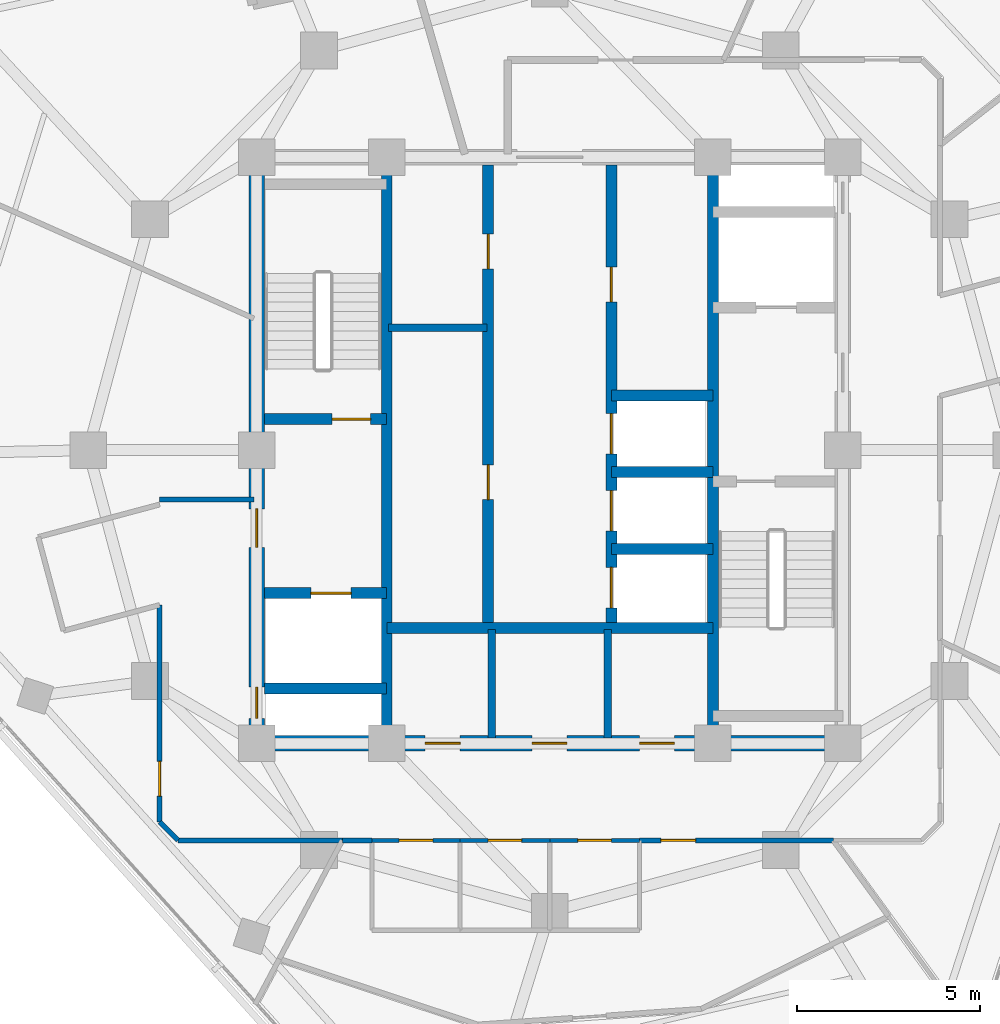
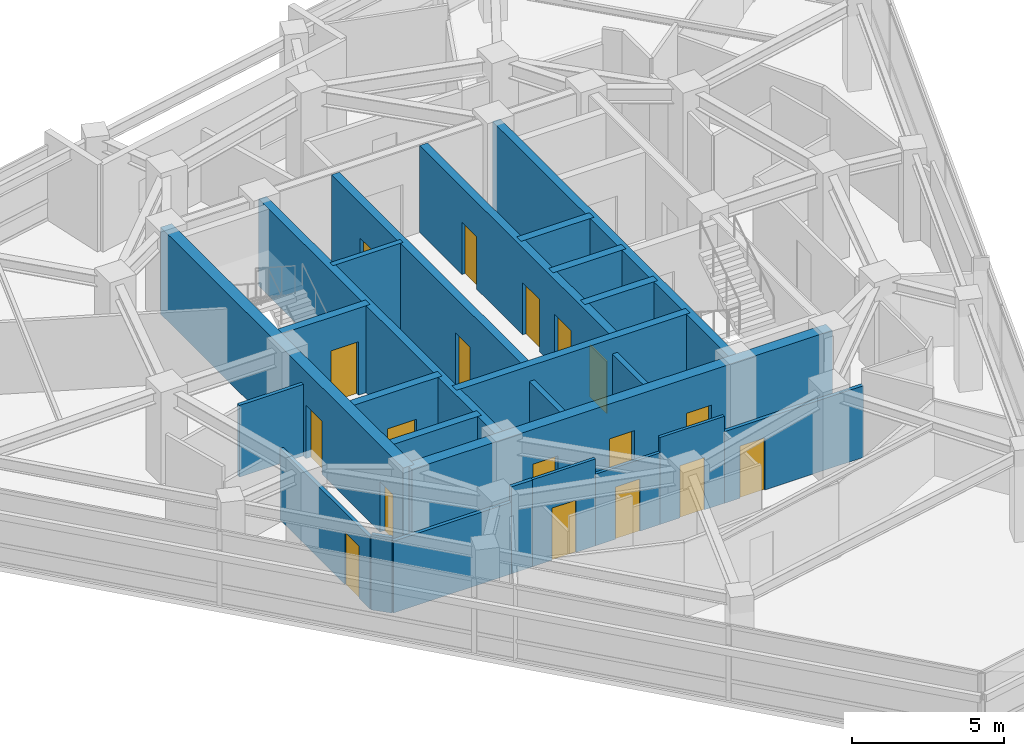
# One storey, part 8 of 15: 25 walls, 18 doors, 18 openings.
"""IFC4 building model written with IfcOpenShell, lengths in metres."""

from ifc_helpers import new_model, si_unit, direction, frame, frame_2d, origin, place, context, subcontext, project, spatial, rectangle, extrude, material, layer, layer_set, type_object, element, fill, save


model = new_model("IFC4")

# Units and contexts
model_context = context("Model", 3, precision=1e-05, world=origin(), true_north=direction((0.0, 1.0)))
body_context = subcontext(model_context, "Body", "Model", "MODEL_VIEW")
ifc_project = project(units=[si_unit("LENGTHUNIT", "METRE"), si_unit("AREAUNIT", "SQUARE_METRE"), si_unit("VOLUMEUNIT", "CUBIC_METRE"), si_unit("PLANEANGLEUNIT", "RADIAN"), si_unit("MASSUNIT", "GRAM", prefix="KILO")], contexts=[model_context])

# Site, building, storey
site_placement = place(None, origin())
site = spatial("IfcSite", under=ifc_project, at=site_placement, CompositionType="ELEMENT")
building_placement = place(site_placement, origin())
building = spatial("IfcBuilding", under=site, at=building_placement, Name="Terralouvre Media Tower", CompositionType="ELEMENT")
storey_placement = place(building_placement, frame((0.0, 0.0, 298.0)))
storey = spatial("IfcBuildingStorey", under=building, at=storey_placement, Name="L77", CompositionType="ELEMENT", Elevation=298.0)

# Walls
ifc_material_1 = material(Name="Concrete C50/60", Category="concrete")
ifc_layer_1 = layer(ifc_material_1, 0.300048828125, Name="Core Internal Shaft Wall CW-300")
ifc_layer_set_1 = layer_set([ifc_layer_1], Name="Concrete C50/60")
wall_type_1 = type_object("IfcWallType", Name="Core Internal Shaft Wall CW-300", PredefinedType="SHEAR", material=ifc_layer_set_1)
for number, where, z_axis, x_axis, name in (
    (1, (-4.449951171875, -7.7900390625, 0.0), (0.0, 0.0, 1.0), (0.0, 1.0, 0.0), "L77 Core Shaft Wall SPW"),
    (2, (4.449951171875, -7.7900390625, 0.0), (0.0, 0.0, 1.0), (0.0, 1.0, 0.0), "L77 Core Shaft Wall SPE"),
):
    element("IfcWall", number, at=place(storey_placement, frame(where, z_axis=z_axis, x_axis=x_axis)), inside=storey, type_object=wall_type_1, Name=name, PredefinedType="SHEAR", context=body_context, shape_type="SweptSolid", body=[
        extrude(rectangle(XDim=15.580078125, YDim=0.300048828125, at=frame_2d((7.7900390625, 0.0))), origin(), (0.0, 0.0, 1.0), 3.5),
    ])

# Wall, opening, door
wall_1_placement = place(storey_placement, frame((-7.7900390625, 0.85009765625, 0.0), z_axis=(0.0, 0.0, 1.0), x_axis=(1.0, 0.0, 0.0)))
wall_1 = element("IfcWall", 3, at=wall_1_placement, inside=storey, type_object=wall_type_1, Name="L77 Core Shaft Wall ST1D", PredefinedType="SHEAR", context=body_context, shape_type="SweptSolid", body=[
    extrude(rectangle(XDim=3.340087890625, YDim=0.300048828125, at=frame_2d((1.669921875, 0.0))), origin(), (0.0, 0.0, 1.0), 3.5),
])
opening_1_placement = place(wall_1_placement, frame((1.85009765625, 0.0, 0.0)))
opening_1 = element("IfcOpeningElement", 4, at=opening_1_placement, cuts=wall_1, Name="Opening FD-01-105X215", PredefinedType="OPENING", context=body_context, shape_type="SweptSolid", body=[
    extrude(rectangle(XDim=1.050048828125, YDim=2.14990234375, at=frame_2d((0.52490234375, 1.074951171875))), frame((0.0, 0.159912109375, 0.0), z_axis=(0.0, -1.0, 0.0), x_axis=(1.0, 0.0, 0.0)), (0.0, 0.0, 1.0), 0.320068359375),
])
ifc_material_2 = material(Name="Galvanised steel fire-resisting leaf", Category="steel")
door_type_1 = type_object("IfcDoorType", Name="Stair and Firefighting Lobby Fire Door FD-01 (1050x2150)", OperationType="NOTDEFINED", PredefinedType="DOOR", material=ifc_material_2)
door_1_placement = place(opening_1_placement, origin())
door_1 = element("IfcDoor", 5, at=door_1_placement, inside=storey, type_object=door_type_1, Name="L77 ST-01 Exit Stair Door", OperationType="SINGLE_SWING_LEFT", OverallHeight=2.14990234375, OverallWidth=1.050048828125, PredefinedType="DOOR", context=body_context, shape_type="SweptSolid", body=[
    extrude(rectangle(XDim=1.050048828125, YDim=2.14990234375, at=frame_2d((0.52490234375, 1.074951171875))), frame((0.0, 0.02490234375, 0.0), z_axis=(0.0, -1.0, 0.0), x_axis=(1.0, 0.0, 0.0)), (0.0, 0.0, 1.0), 0.050048828125),
])
fill(opening_1, door_1)

wall_2_placement = place(storey_placement, frame((-7.7900390625, -3.89990234375, 0.0), z_axis=(0.0, 0.0, 1.0), x_axis=(1.0, 0.0, 0.0)))
wall_2 = element("IfcWall", 6, at=wall_2_placement, inside=storey, type_object=wall_type_1, Name="L77 Core Shaft Wall FF1N", PredefinedType="SHEAR", context=body_context, shape_type="SweptSolid", body=[
    extrude(rectangle(XDim=3.340087890625, YDim=0.300048828125, at=frame_2d((1.669921875, 0.0))), origin(), (0.0, 0.0, 1.0), 3.5),
])
opening_2_placement = place(wall_2_placement, frame((1.27001953125, 0.0, 0.0)))
opening_2 = element("IfcOpeningElement", 7, at=opening_2_placement, cuts=wall_2, Name="Opening LD-FF", PredefinedType="OPENING", context=body_context, shape_type="SweptSolid", body=[
    extrude(rectangle(XDim=1.10009765625, YDim=2.10009765625, at=frame_2d((0.550048828125, 1.050048828125))), frame((0.0, 0.159912109375, 0.0), z_axis=(0.0, -1.0, 0.0), x_axis=(1.0, 0.0, 0.0)), (0.0, 0.0, 1.0), 0.320068359375),
])
ifc_material_3 = material(Name="Stainless steel 316 handrail and balustrade", Category="steel")
door_type_2 = type_object("IfcDoorType", Name="Firefighting Lift Sliding Landing Door LD-FF", OperationType="SLIDING_TO_LEFT", PredefinedType="DOOR", material=ifc_material_3)
door_2_placement = place(opening_2_placement, origin())
door_2 = element("IfcDoor", 8, at=door_2_placement, inside=storey, type_object=door_type_2, Name="L77 Firefighting Lift FFL-01 Landing Door", OperationType="SLIDING_TO_LEFT", OverallHeight=2.10009765625, OverallWidth=1.10009765625, PredefinedType="DOOR", context=body_context, shape_type="SweptSolid", body=[
    extrude(rectangle(XDim=1.10009765625, YDim=2.10009765625, at=frame_2d((0.550048828125, 1.050048828125))), frame((0.0, 0.02490234375, 0.0), z_axis=(0.0, -1.0, 0.0), x_axis=(1.0, 0.0, 0.0)), (0.0, 0.0, 1.0), 0.050048828125),
])
fill(opening_2, door_2)

# Walls
wall_3_placement = place(storey_placement, frame((-7.7900390625, -6.5, 0.0), z_axis=(0.0, 0.0, 1.0), x_axis=(1.0, 0.0, 0.0)))
element("IfcWall", 9, at=wall_3_placement, inside=storey, type_object=wall_type_1, Name="L77 Core Shaft Wall FF1S", PredefinedType="SHEAR", context=body_context, shape_type="SweptSolid", body=[
    extrude(rectangle(XDim=3.340087890625, YDim=0.300048828125, at=frame_2d((1.669921875, 0.0))), origin(), (0.0, 0.0, 1.0), 3.5),
])
wall_4_placement = place(storey_placement, frame((-4.449951171875, -4.85009765625, 0.0), z_axis=(0.0, 0.0, 1.0), x_axis=(1.0, 0.0, 0.0)))
element("IfcWall", 10, at=wall_4_placement, inside=storey, type_object=wall_type_1, Name="L77 Core Shaft Wall CSBN", PredefinedType="SHEAR", context=body_context, shape_type="SweptSolid", body=[
    extrude(rectangle(XDim=8.89990234375, YDim=0.300048828125, at=frame_2d((4.449951171875, 0.0))), origin(), (0.0, 0.0, 1.0), 3.5),
])

# Wall, openings, doors
wall_5_placement = place(storey_placement, frame((-1.679931640625, -4.85009765625, 0.0), z_axis=(0.0, 0.0, 1.0), x_axis=(0.0, 1.0, 0.0)))
wall_5 = element("IfcWall", 11, at=wall_5_placement, inside=storey, type_object=wall_type_1, Name="L77 Core Shaft Wall LBW", PredefinedType="SHEAR", context=body_context, shape_type="SweptSolid", body=[
    extrude(rectangle(XDim=12.64013671875, YDim=0.300048828125, at=frame_2d((6.320068359375, 0.0))), origin(), (0.0, 0.0, 1.0), 3.5),
])
opening_3_placement = place(wall_5_placement, frame((3.5, 0.0, 0.0)))
opening_3 = element("IfcOpeningElement", 12, at=opening_3_placement, cuts=wall_5, Name="Opening FD-04-95X210", PredefinedType="OPENING", context=body_context, shape_type="SweptSolid", body=[
    extrude(rectangle(XDim=0.949951171875, YDim=2.10009765625, at=frame_2d((0.47509765625, 1.050048828125))), frame((0.0, 0.159912109375, 0.0), z_axis=(0.0, -1.0, 0.0), x_axis=(1.0, 0.0, 0.0)), (0.0, 0.0, 1.0), 0.320068359375),
])
opening_4_placement = place(wall_5_placement, frame((9.800048828125, 0.0, 0.0)))
opening_4 = element("IfcOpeningElement", 13, at=opening_4_placement, cuts=wall_5, Name="Opening FD-02-95X210", PredefinedType="OPENING", context=body_context, shape_type="SweptSolid", body=[
    extrude(rectangle(XDim=0.949951171875, YDim=2.10009765625, at=frame_2d((0.47509765625, 1.050048828125))), frame((0.0, 0.159912109375, 0.0), z_axis=(0.0, -1.0, 0.0), x_axis=(1.0, 0.0, 0.0)), (0.0, 0.0, 1.0), 0.320068359375),
])
ifc_material_4 = material(Name="Galvanised steel fire-resisting leaf", Category="steel")
door_type_3 = type_object("IfcDoorType", Name="Core Store and Service Fire Door FD-04 (950x2100)", OperationType="NOTDEFINED", PredefinedType="DOOR", material=ifc_material_4)
door_3_placement = place(opening_3_placement, origin())
door_3 = element("IfcDoor", 14, at=door_3_placement, inside=storey, type_object=door_type_3, Name="L77 Core Archive Store Door", OperationType="SINGLE_SWING_LEFT", OverallHeight=2.10009765625, OverallWidth=0.949951171875, PredefinedType="DOOR", context=body_context, shape_type="SweptSolid", body=[
    extrude(rectangle(XDim=0.949951171875, YDim=2.10009765625, at=frame_2d((0.47509765625, 1.050048828125))), frame((0.0, 0.02490234375, 0.0), z_axis=(0.0, -1.0, 0.0), x_axis=(1.0, 0.0, 0.0)), (0.0, 0.0, 1.0), 0.050048828125),
])
fill(opening_3, door_3)
ifc_material_5 = material(Name="Galvanised steel fire-resisting leaf", Category="steel")
door_type_4 = type_object("IfcDoorType", Name="Plant and Riser Fire Door FD-02 (950x2100)", OperationType="NOTDEFINED", PredefinedType="DOOR", material=ifc_material_5)
door_4_placement = place(opening_4_placement, origin())
door_4 = element("IfcDoor", 15, at=door_4_placement, inside=storey, type_object=door_type_4, Name="L77 Core AV Repeater Plant Door", OperationType="SINGLE_SWING_RIGHT", OverallHeight=2.10009765625, OverallWidth=0.949951171875, PredefinedType="DOOR", context=body_context, shape_type="SweptSolid", body=[
    extrude(rectangle(XDim=0.949951171875, YDim=2.10009765625, at=frame_2d((0.47509765625, 1.050048828125))), frame((0.0, 0.02490234375, 0.0), z_axis=(0.0, -1.0, 0.0), x_axis=(1.0, 0.0, 0.0)), (0.0, 0.0, 1.0), 0.050048828125),
])
fill(opening_4, door_4)

wall_6_placement = place(storey_placement, frame((1.679931640625, -4.85009765625, 0.0), z_axis=(0.0, 0.0, 1.0), x_axis=(0.0, 1.0, 0.0)))
wall_6 = element("IfcWall", 16, at=wall_6_placement, inside=storey, type_object=wall_type_1, Name="L77 Core Shaft Wall LBE", PredefinedType="SHEAR", context=body_context, shape_type="SweptSolid", body=[
    extrude(rectangle(XDim=12.64013671875, YDim=0.300048828125, at=frame_2d((6.320068359375, 0.0))), origin(), (0.0, 0.0, 1.0), 3.5),
])
opening_5_placement = place(wall_6_placement, frame((0.550048828125, 0.0, 0.0)))
opening_5 = element("IfcOpeningElement", 17, at=opening_5_placement, cuts=wall_6, Name="Opening LD-PL", PredefinedType="OPENING", context=body_context, shape_type="SweptSolid", body=[
    extrude(rectangle(XDim=1.10009765625, YDim=2.10009765625, at=frame_2d((0.550048828125, 1.050048828125))), frame((0.0, 0.159912109375, 0.0), z_axis=(0.0, -1.0, 0.0), x_axis=(1.0, 0.0, 0.0)), (0.0, 0.0, 1.0), 0.320068359375),
])
opening_6_placement = place(wall_6_placement, frame((2.64990234375, 0.0, 0.0)))
opening_6 = element("IfcOpeningElement", 18, at=opening_6_placement, cuts=wall_6, Name="Opening LD-PL", PredefinedType="OPENING", context=body_context, shape_type="SweptSolid", body=[
    extrude(rectangle(XDim=1.10009765625, YDim=2.10009765625, at=frame_2d((0.550048828125, 1.050048828125))), frame((0.0, 0.159912109375, 0.0), z_axis=(0.0, -1.0, 0.0), x_axis=(1.0, 0.0, 0.0)), (0.0, 0.0, 1.0), 0.320068359375),
])
opening_7_placement = place(wall_6_placement, frame((4.75, 0.0, 0.0)))
opening_7 = element("IfcOpeningElement", 19, at=opening_7_placement, cuts=wall_6, Name="Opening LD-PL", PredefinedType="OPENING", context=body_context, shape_type="SweptSolid", body=[
    extrude(rectangle(XDim=1.10009765625, YDim=2.10009765625, at=frame_2d((0.550048828125, 1.050048828125))), frame((0.0, 0.159912109375, 0.0), z_axis=(0.0, -1.0, 0.0), x_axis=(1.0, 0.0, 0.0)), (0.0, 0.0, 1.0), 0.320068359375),
])
opening_8_placement = place(wall_6_placement, frame((8.89990234375, 0.0, 0.0)))
opening_8 = element("IfcOpeningElement", 20, at=opening_8_placement, cuts=wall_6, Name="Opening FD-02-95X210", PredefinedType="OPENING", context=body_context, shape_type="SweptSolid", body=[
    extrude(rectangle(XDim=0.949951171875, YDim=2.10009765625, at=frame_2d((0.47509765625, 1.050048828125))), frame((0.0, 0.159912109375, 0.0), z_axis=(0.0, -1.0, 0.0), x_axis=(1.0, 0.0, 0.0)), (0.0, 0.0, 1.0), 0.320068359375),
])
ifc_material_6 = material(Name="Stainless steel 316 handrail and balustrade", Category="steel")
door_type_5 = type_object("IfcDoorType", Name="Passenger Lift Sliding Landing Door LD-PL", OperationType="SLIDING_TO_LEFT", PredefinedType="DOOR", material=ifc_material_6)
door_5_placement = place(opening_5_placement, origin())
door_5 = element("IfcDoor", 21, at=door_5_placement, inside=storey, type_object=door_type_5, Name="L77 High-Rise Lift PL-H1 Landing Door", OperationType="SLIDING_TO_LEFT", OverallHeight=2.10009765625, OverallWidth=1.10009765625, PredefinedType="DOOR", context=body_context, shape_type="SweptSolid", body=[
    extrude(rectangle(XDim=1.10009765625, YDim=2.10009765625, at=frame_2d((0.550048828125, 1.050048828125))), frame((0.0, 0.02490234375, 0.0), z_axis=(0.0, -1.0, 0.0), x_axis=(1.0, 0.0, 0.0)), (0.0, 0.0, 1.0), 0.050048828125),
])
fill(opening_5, door_5)
door_6_placement = place(opening_6_placement, origin())
door_6 = element("IfcDoor", 22, at=door_6_placement, inside=storey, type_object=door_type_5, Name="L77 High-Rise Lift PL-H2 Landing Door", OperationType="SLIDING_TO_LEFT", OverallHeight=2.10009765625, OverallWidth=1.10009765625, PredefinedType="DOOR", context=body_context, shape_type="SweptSolid", body=[
    extrude(rectangle(XDim=1.10009765625, YDim=2.10009765625, at=frame_2d((0.550048828125, 1.050048828125))), frame((0.0, 0.02490234375, 0.0), z_axis=(0.0, -1.0, 0.0), x_axis=(1.0, 0.0, 0.0)), (0.0, 0.0, 1.0), 0.050048828125),
])
fill(opening_6, door_6)
door_7_placement = place(opening_7_placement, origin())
door_7 = element("IfcDoor", 23, at=door_7_placement, inside=storey, type_object=door_type_5, Name="L77 High-Rise Lift PL-H3 Landing Door", OperationType="SLIDING_TO_LEFT", OverallHeight=2.10009765625, OverallWidth=1.10009765625, PredefinedType="DOOR", context=body_context, shape_type="SweptSolid", body=[
    extrude(rectangle(XDim=1.10009765625, YDim=2.10009765625, at=frame_2d((0.550048828125, 1.050048828125))), frame((0.0, 0.02490234375, 0.0), z_axis=(0.0, -1.0, 0.0), x_axis=(1.0, 0.0, 0.0)), (0.0, 0.0, 1.0), 0.050048828125),
])
fill(opening_7, door_7)
door_8_placement = place(opening_8_placement, origin())
door_8 = element("IfcDoor", 24, at=door_8_placement, inside=storey, type_object=door_type_4, Name="L77 Core AHU Sub-Plant Door", OperationType="SINGLE_SWING_LEFT", OverallHeight=2.10009765625, OverallWidth=0.949951171875, PredefinedType="DOOR", context=body_context, shape_type="SweptSolid", body=[
    extrude(rectangle(XDim=0.949951171875, YDim=2.10009765625, at=frame_2d((0.47509765625, 1.050048828125))), frame((0.0, 0.02490234375, 0.0), z_axis=(0.0, -1.0, 0.0), x_axis=(1.0, 0.0, 0.0)), (0.0, 0.0, 1.0), 0.050048828125),
])
fill(opening_8, door_8)

# Walls
for number, where, z_axis, x_axis, name in (
    (25, (1.679931640625, 1.5, 0.0), (0.0, 0.0, 1.0), (1.0, 0.0, 0.0), "L77 Core Shaft Wall PLMBOT"),
    (26, (1.679931640625, -2.699951171875, 0.0), (0.0, 0.0, 1.0), (1.0, 0.0, 0.0), "L77 Core Shaft Wall PLHD1"),
    (27, (1.679931640625, -0.60009765625, 0.0), (0.0, 0.0, 1.0), (1.0, 0.0, 0.0), "L77 Core Shaft Wall PLHD2"),
):
    element("IfcWall", number, at=place(storey_placement, frame(where, z_axis=z_axis, x_axis=x_axis)), inside=storey, type_object=wall_type_1, Name=name, PredefinedType="SHEAR", context=body_context, shape_type="SweptSolid", body=[
        extrude(rectangle(XDim=2.77001953125, YDim=0.300048828125, at=frame_2d((1.385009765625, 0.0))), origin(), (0.0, 0.0, 1.0), 3.5),
    ])

# Wall, openings, doors
ifc_material_7 = material(Name="Concrete C60/75", Category="concrete")
ifc_layer_2 = layer(ifc_material_7, 0.419921875, Name="Core Reinforced Concrete Shear Wall CW-420")
ifc_layer_set_2 = layer_set([ifc_layer_2], Name="Concrete C60/75")
wall_type_2 = type_object("IfcWallType", Name="Core Reinforced Concrete Shear Wall CW-420", PredefinedType="SHEAR", material=ifc_layer_set_2)
wall_7_placement = place(storey_placement, frame((-8.0, -8.0, 0.0), z_axis=(0.0, 0.0, 1.0), x_axis=(0.0, 1.0, 0.0)))
wall_7 = element("IfcWall", 28, at=wall_7_placement, inside=storey, type_object=wall_type_2, Name="L77 W Core Shear Wall", PredefinedType="SHEAR", context=body_context, shape_type="SweptSolid", body=[
    extrude(rectangle(XDim=16.0, YDim=0.419921875, at=frame_2d((8.0, 0.0))), origin(), (0.0, 0.0, 1.0), 3.5),
])
opening_9_placement = place(wall_7_placement, frame((0.68115234375, 0.0, 0.0)))
opening_9 = element("IfcOpeningElement", 29, at=opening_9_placement, cuts=wall_7, Name="Opening TD-R1", PredefinedType="OPENING", context=body_context, shape_type="SweptSolid", body=[
    extrude(rectangle(XDim=0.85009765625, YDim=2.02001953125, at=frame_2d((0.425048828125, 1.010009765625))), frame((0.0, 0.219970703125, 0.0), z_axis=(0.0, -1.0, 0.0), x_axis=(1.0, 0.0, 0.0)), (0.0, 0.0, 1.0), 0.43994140625),
])
opening_10_placement = place(wall_7_placement, frame((5.35009765625, 0.0, 0.0)))
opening_10 = element("IfcOpeningElement", 30, at=opening_10_placement, cuts=wall_7, Name="Opening FD-01-105X215", PredefinedType="OPENING", context=body_context, shape_type="SweptSolid", body=[
    extrude(rectangle(XDim=1.050048828125, YDim=2.14990234375, at=frame_2d((0.52490234375, 1.074951171875))), frame((0.0, 0.219970703125, 0.0), z_axis=(0.0, -1.0, 0.0), x_axis=(1.0, 0.0, 0.0)), (0.0, 0.0, 1.0), 0.43994140625),
])
ifc_material_8 = material(Name="Galvanised steel fire-resisting leaf", Category="steel")
door_type_6 = type_object("IfcDoorType", Name="Riser Inspection Access Trapdoor TD-R1", OperationType="NOTDEFINED", PredefinedType="TRAPDOOR", material=ifc_material_8)
door_9_placement = place(opening_9_placement, origin())
door_9 = element("IfcDoor", 31, at=door_9_placement, inside=storey, type_object=door_type_6, Name="L77 Wet Riser Access Trapdoor", OperationType="SINGLE_SWING_LEFT", OverallHeight=2.02001953125, OverallWidth=0.85009765625, PredefinedType="TRAPDOOR", context=body_context, shape_type="SweptSolid", body=[
    extrude(rectangle(XDim=0.85009765625, YDim=2.02001953125, at=frame_2d((0.425048828125, 1.010009765625))), frame((0.0, 0.02490234375, 0.0), z_axis=(0.0, -1.0, 0.0), x_axis=(1.0, 0.0, 0.0)), (0.0, 0.0, 1.0), 0.050048828125),
])
fill(opening_9, door_9)
door_10_placement = place(opening_10_placement, origin())
door_10 = element("IfcDoor", 32, at=door_10_placement, inside=storey, type_object=door_type_1, Name="L77 West Firefighting Lobby Entry Door", OperationType="SINGLE_SWING_RIGHT", OverallHeight=2.14990234375, OverallWidth=1.050048828125, PredefinedType="DOOR", context=body_context, shape_type="SweptSolid", body=[
    extrude(rectangle(XDim=1.050048828125, YDim=2.14990234375, at=frame_2d((0.52490234375, 1.074951171875))), frame((0.0, 0.02490234375, 0.0), z_axis=(0.0, -1.0, 0.0), x_axis=(1.0, 0.0, 0.0)), (0.0, 0.0, 1.0), 0.050048828125),
])
fill(opening_10, door_10)

wall_8_placement = place(storey_placement, frame((-8.0, -8.0, 0.0), z_axis=(0.0, 0.0, 1.0), x_axis=(1.0, 0.0, 0.0)))
wall_8 = element("IfcWall", 33, at=wall_8_placement, inside=storey, type_object=wall_type_2, Name="L77 S Core Shear Wall", PredefinedType="SHEAR", context=body_context, shape_type="SweptSolid", body=[
    extrude(rectangle(XDim=16.0, YDim=0.419921875, at=frame_2d((8.0, 0.0))), origin(), (0.0, 0.0, 1.0), 3.5),
])
opening_11_placement = place(wall_8_placement, frame((4.60009765625, 0.0, 0.0)))
opening_11 = element("IfcOpeningElement", 34, at=opening_11_placement, cuts=wall_8, Name="Opening FD-02-95X210", PredefinedType="OPENING", context=body_context, shape_type="SweptSolid", body=[
    extrude(rectangle(XDim=0.949951171875, YDim=2.10009765625, at=frame_2d((0.47509765625, 1.050048828125))), frame((0.0, 0.219970703125, 0.0), z_axis=(0.0, -1.0, 0.0), x_axis=(1.0, 0.0, 0.0)), (0.0, 0.0, 1.0), 0.43994140625),
])
opening_12_placement = place(wall_8_placement, frame((7.52001953125, 0.0, 0.0)))
opening_12 = element("IfcOpeningElement", 35, at=opening_12_placement, cuts=wall_8, Name="Opening FD-02-95X210", PredefinedType="OPENING", context=body_context, shape_type="SweptSolid", body=[
    extrude(rectangle(XDim=0.949951171875, YDim=2.10009765625, at=frame_2d((0.47509765625, 1.050048828125))), frame((0.0, 0.219970703125, 0.0), z_axis=(0.0, -1.0, 0.0), x_axis=(1.0, 0.0, 0.0)), (0.0, 0.0, 1.0), 0.43994140625),
])
opening_13_placement = place(wall_8_placement, frame((10.449951171875, 0.0, 0.0)))
opening_13 = element("IfcOpeningElement", 36, at=opening_13_placement, cuts=wall_8, Name="Opening FD-02-95X210", PredefinedType="OPENING", context=body_context, shape_type="SweptSolid", body=[
    extrude(rectangle(XDim=0.949951171875, YDim=2.10009765625, at=frame_2d((0.47509765625, 1.050048828125))), frame((0.0, 0.219970703125, 0.0), z_axis=(0.0, -1.0, 0.0), x_axis=(1.0, 0.0, 0.0)), (0.0, 0.0, 1.0), 0.43994140625),
])
door_11_placement = place(opening_11_placement, origin())
door_11 = element("IfcDoor", 37, at=door_11_placement, inside=storey, type_object=door_type_4, Name="L77 Core Janitor Store Door", OperationType="SINGLE_SWING_LEFT", OverallHeight=2.10009765625, OverallWidth=0.949951171875, PredefinedType="DOOR", context=body_context, shape_type="SweptSolid", body=[
    extrude(rectangle(XDim=0.949951171875, YDim=2.10009765625, at=frame_2d((0.47509765625, 1.050048828125))), frame((0.0, 0.02490234375, 0.0), z_axis=(0.0, -1.0, 0.0), x_axis=(1.0, 0.0, 0.0)), (0.0, 0.0, 1.0), 0.050048828125),
])
fill(opening_11, door_11)
door_12_placement = place(opening_12_placement, origin())
door_12 = element("IfcDoor", 38, at=door_12_placement, inside=storey, type_object=door_type_4, Name="L77 Core Linen Store Door", OperationType="SINGLE_SWING_RIGHT", OverallHeight=2.10009765625, OverallWidth=0.949951171875, PredefinedType="DOOR", context=body_context, shape_type="SweptSolid", body=[
    extrude(rectangle(XDim=0.949951171875, YDim=2.10009765625, at=frame_2d((0.47509765625, 1.050048828125))), frame((0.0, 0.02490234375, 0.0), z_axis=(0.0, -1.0, 0.0), x_axis=(1.0, 0.0, 0.0)), (0.0, 0.0, 1.0), 0.050048828125),
])
fill(opening_12, door_12)
door_13_placement = place(opening_13_placement, origin())
door_13 = element("IfcDoor", 39, at=door_13_placement, inside=storey, type_object=door_type_4, Name="L77 Core Metering Plant Door", OperationType="SINGLE_SWING_LEFT", OverallHeight=2.10009765625, OverallWidth=0.949951171875, PredefinedType="DOOR", context=body_context, shape_type="SweptSolid", body=[
    extrude(rectangle(XDim=0.949951171875, YDim=2.10009765625, at=frame_2d((0.47509765625, 1.050048828125))), frame((0.0, 0.02490234375, 0.0), z_axis=(0.0, -1.0, 0.0), x_axis=(1.0, 0.0, 0.0)), (0.0, 0.0, 1.0), 0.050048828125),
])
fill(opening_13, door_13)

# Walls
ifc_material_9 = material(Name="Fire-rated gypsum board drywall partition")
ifc_layer_3 = layer(ifc_material_9, 0.199951171875, Name="Fire-Rated Shaft and Lobby Partition FW-200")
ifc_layer_set_3 = layer_set([ifc_layer_3], Name="Fire-rated gypsum board drywall partition")
wall_type_3 = type_object("IfcWallType", Name="Fire-Rated Shaft and Lobby Partition FW-200", PredefinedType="SOLIDWALL", material=ifc_layer_set_3)
for number, where, z_axis, x_axis, name in (
    (40, (-1.580078125, -7.85009765625, 0.0), (0.0, 0.0, 1.0), (0.0, 1.0, 0.0), "L77 Core Service Bay Partition 1"),
    (41, (1.580078125, -7.85009765625, 0.0), (0.0, 0.0, 1.0), (0.0, 1.0, 0.0), "L77 Core Service Bay Partition 2"),
):
    element("IfcWall", number, at=place(storey_placement, frame(where, z_axis=z_axis, x_axis=x_axis)), inside=storey, type_object=wall_type_3, Name=name, PredefinedType="SOLIDWALL", context=body_context, shape_type="SweptSolid", body=[
        extrude(rectangle(XDim=2.9501953125, YDim=0.199951171875, at=frame_2d((1.47509765625, 0.0))), origin(), (0.0, 0.0, 1.0), 2.885009765625),
    ])
wall_9_placement = place(storey_placement, frame((-4.39990234375, 3.340087890625, 0.0), z_axis=(0.0, 0.0, 1.0), x_axis=(1.0, 0.0, 0.0)))
element("IfcWall", 42, at=wall_9_placement, inside=storey, type_object=wall_type_3, Name="L77 Core West Sub-Partition 1", PredefinedType="SOLIDWALL", context=body_context, shape_type="SweptSolid", body=[
    extrude(rectangle(XDim=2.679931640625, YDim=0.199951171875, at=frame_2d((1.33984375, 0.0))), origin(), (0.0, 0.0, 1.0), 3.5),
])
ifc_material_10 = material(Name="Fire-rated gypsum board drywall partition")
ifc_layer_4 = layer(ifc_material_10, 0.135009765625, Name="Newsroom Acoustic Partition PT-135")
ifc_layer_set_4 = layer_set([ifc_layer_4], Name="Fire-rated gypsum board drywall partition")
wall_type_4 = type_object("IfcWallType", Name="Newsroom Acoustic Partition PT-135", PredefinedType="PARTITIONING", material=ifc_layer_set_4)
wall_10_placement = place(storey_placement, frame((-8.080078125, -1.35009765625, 0.0), z_axis=(0.0, 0.0, 1.0), x_axis=(-1.0, 0.0, 0.0)))
element("IfcWall", 43, at=wall_10_placement, inside=storey, type_object=wall_type_4, Name="L77 Interior Partition 001", PredefinedType="PARTITIONING", context=body_context, shape_type="SweptSolid", body=[
    extrude(rectangle(XDim=2.56982421875, YDim=0.135009765625, at=frame_2d((1.284912109375, 0.0))), origin(), (0.0, 0.0, 1.0), 2.885009765625),
])

# Wall, opening, door
wall_11_placement = place(storey_placement, frame((-10.64990234375, -4.22509765625, 0.0), z_axis=(0.0, 0.0, 1.0), x_axis=(0.0, -1.0, 0.0)))
wall_11 = element("IfcWall", 44, at=wall_11_placement, inside=storey, type_object=wall_type_4, Name="L77 Interior Partition 005", PredefinedType="PARTITIONING", context=body_context, shape_type="SweptSolid", body=[
    extrude(rectangle(XDim=5.9248046875, YDim=0.135009765625, at=frame_2d((2.96240234375, 0.0))), origin(), (0.0, 0.0, 1.0), 2.885009765625),
])
opening_14_placement = place(wall_11_placement, frame((4.264892578125, 0.0, 0.0)))
opening_14 = element("IfcOpeningElement", 45, at=opening_14_placement, cuts=wall_11, Name="Opening ID-02-95X210", PredefinedType="OPENING", context=body_context, shape_type="SweptSolid", body=[
    extrude(rectangle(XDim=0.949951171875, YDim=2.10009765625, at=frame_2d((0.47509765625, 1.050048828125))), frame((0.0, 0.077392578125, 0.0), z_axis=(0.0, -1.0, 0.0), x_axis=(1.0, 0.0, 0.0)), (0.0, 0.0, 1.0), 0.155029296875),
])
ifc_material_11 = material(Name="Engineered hardwood acoustic timber leaf", Category="wood")
door_type_7 = type_object("IfcDoorType", Name="Office and Meeting Room Door ID-02 (950x2100)", OperationType="NOTDEFINED", PredefinedType="DOOR", material=ifc_material_11)
door_14_placement = place(opening_14_placement, origin())
door_14 = element("IfcDoor", 46, at=door_14_placement, inside=storey, type_object=door_type_7, Name="L77 Digital Asset Vault Store 1 Door", OperationType="SINGLE_SWING_RIGHT", OverallHeight=2.10009765625, OverallWidth=0.949951171875, PredefinedType="DOOR", context=body_context, shape_type="SweptSolid", body=[
    extrude(rectangle(XDim=0.949951171875, YDim=2.10009765625, at=frame_2d((0.47509765625, 1.050048828125))), frame((0.0, 0.02490234375, 0.0), z_axis=(0.0, -1.0, 0.0), x_axis=(1.0, 0.0, 0.0)), (0.0, 0.0, 1.0), 0.050048828125),
])
fill(opening_14, door_14)

# Walls
wall_12_placement = place(storey_placement, frame((-10.64990234375, -10.14990234375, 0.0), z_axis=(0.0, 0.0, 1.0), x_axis=(0.707106781187, -0.707106781187, 0.0)))
element("IfcWall", 47, at=wall_12_placement, inside=storey, type_object=wall_type_4, Name="L77 Interior Partition 006", PredefinedType="PARTITIONING", context=body_context, shape_type="SweptSolid", body=[
    extrude(rectangle(XDim=0.70703125, YDim=0.135009765625, at=frame_2d((0.353515625, 0.0))), origin(), (0.0, 0.0, 1.0), 3.034912109375),
])
wall_13_placement = place(storey_placement, frame((-10.14990234375, -10.64990234375, 0.0), z_axis=(0.0, 0.0, 1.0), x_axis=(1.0, 0.0, 0.0)))
element("IfcWall", 48, at=wall_13_placement, inside=storey, type_object=wall_type_4, Name="L77 Interior Partition 007", PredefinedType="PARTITIONING", context=body_context, shape_type="SweptSolid", body=[
    extrude(rectangle(XDim=4.48681640625, YDim=0.135009765625, at=frame_2d((2.243408203125, 0.0))), origin(), (0.0, 0.0, 1.0), 2.885009765625),
])
wall_14_placement = place(storey_placement, frame((-5.6630859375, -10.64990234375, 0.0), z_axis=(0.0, 0.0, 1.0), x_axis=(1.0, 0.0, 0.0)))
element("IfcWall", 49, at=wall_14_placement, inside=storey, type_object=wall_type_4, Name="L77 Interior Partition 016", PredefinedType="PARTITIONING", context=body_context, shape_type="SweptSolid", body=[
    extrude(rectangle(XDim=0.81298828125, YDim=0.135009765625, at=frame_2d((0.406494140625, 0.0))), origin(), (0.0, 0.0, 1.0), 3.5),
])

# Wall, opening, door
wall_15_placement = place(storey_placement, frame((2.449951171875, -10.64990234375, 0.0), z_axis=(0.0, 0.0, 1.0), x_axis=(1.0, 0.0, 0.0)))
wall_15 = element("IfcWall", 50, at=wall_15_placement, inside=storey, type_object=wall_type_4, Name="L77 Interior Partition 017", PredefinedType="PARTITIONING", context=body_context, shape_type="SweptSolid", body=[
    extrude(rectangle(XDim=5.2880859375, YDim=0.135009765625, at=frame_2d((2.64404296875, 0.0))), origin(), (0.0, 0.0, 1.0), 2.885009765625),
])
opening_15_placement = place(wall_15_placement, frame((0.58251953125, 0.0, 0.0)))
opening_15 = element("IfcOpeningElement", 51, at=opening_15_placement, cuts=wall_15, Name="Opening ID-02-95X210", PredefinedType="OPENING", context=body_context, shape_type="SweptSolid", body=[
    extrude(rectangle(XDim=0.949951171875, YDim=2.10009765625, at=frame_2d((0.47509765625, 1.050048828125))), frame((0.0, 0.077392578125, 0.0), z_axis=(0.0, -1.0, 0.0), x_axis=(1.0, 0.0, 0.0)), (0.0, 0.0, 1.0), 0.155029296875),
])
door_15_placement = place(opening_15_placement, origin())
door_15 = element("IfcDoor", 52, at=door_15_placement, inside=storey, type_object=door_type_7, Name="L77 Data Visualization Workspace 3 Door", OperationType="SINGLE_SWING_LEFT", OverallHeight=2.10009765625, OverallWidth=0.949951171875, PredefinedType="DOOR", context=body_context, shape_type="SweptSolid", body=[
    extrude(rectangle(XDim=0.949951171875, YDim=2.10009765625, at=frame_2d((0.47509765625, 1.050048828125))), frame((0.0, 0.02490234375, 0.0), z_axis=(0.0, -1.0, 0.0), x_axis=(1.0, 0.0, 0.0)), (0.0, 0.0, 1.0), 0.050048828125),
])
fill(opening_15, door_15)

ifc_material_12 = material(Name="Fire-rated gypsum board drywall partition")
ifc_layer_5 = layer(ifc_material_12, 0.114990234375, Name="Restroom and Pantry Partition PT-115")
ifc_layer_set_5 = layer_set([ifc_layer_5], Name="Fire-rated gypsum board drywall partition")
wall_type_5 = type_object("IfcWallType", Name="Restroom and Pantry Partition PT-115", PredefinedType="PARTITIONING", material=ifc_layer_set_5)
wall_16_placement = place(storey_placement, frame((-4.85009765625, -10.64990234375, 0.0), z_axis=(0.0, 0.0, 1.0), x_axis=(1.0, 0.0, 0.0)))
wall_16 = element("IfcWall", 53, at=wall_16_placement, inside=storey, type_object=wall_type_5, Name="L77 Interior Partition 013", PredefinedType="PARTITIONING", context=body_context, shape_type="SweptSolid", body=[
    extrude(rectangle(XDim=2.400146484375, YDim=0.114990234375, at=frame_2d((1.2001953125, 0.0))), origin(), (0.0, 0.0, 1.0), 3.5),
])
opening_16_placement = place(wall_16_placement, frame((0.739990234375, 0.0, 0.0)))
opening_16 = element("IfcOpeningElement", 54, at=opening_16_placement, cuts=wall_16, Name="Opening ID-03-92X210", PredefinedType="OPENING", context=body_context, shape_type="SweptSolid", body=[
    extrude(rectangle(XDim=0.919921875, YDim=2.10009765625, at=frame_2d((0.4599609375, 1.050048828125))), frame((0.0, 0.0673828125, 0.0), z_axis=(0.0, -1.0, 0.0), x_axis=(1.0, 0.0, 0.0)), (0.0, 0.0, 1.0), 0.135009765625),
])
ifc_material_13 = material(Name="Engineered hardwood acoustic timber leaf", Category="wood")
door_type_8 = type_object("IfcDoorType", Name="Accessible Restroom and Suite Door ID-03 (920x2100)", OperationType="NOTDEFINED", PredefinedType="DOOR", material=ifc_material_13)
door_16_placement = place(opening_16_placement, origin())
door_16 = element("IfcDoor", 55, at=door_16_placement, inside=storey, type_object=door_type_8, Name="L77 Male Restroom WC Door", OperationType="SINGLE_SWING_RIGHT", OverallHeight=2.10009765625, OverallWidth=0.919921875, PredefinedType="DOOR", context=body_context, shape_type="SweptSolid", body=[
    extrude(rectangle(XDim=0.919921875, YDim=2.10009765625, at=frame_2d((0.4599609375, 1.050048828125))), frame((0.0, 0.02490234375, 0.0), z_axis=(0.0, -1.0, 0.0), x_axis=(1.0, 0.0, 0.0)), (0.0, 0.0, 1.0), 0.050048828125),
])
fill(opening_16, door_16)

wall_17_placement = place(storey_placement, frame((-2.449951171875, -10.64990234375, 0.0), z_axis=(0.0, 0.0, 1.0), x_axis=(1.0, 0.0, 0.0)))
wall_17 = element("IfcWall", 56, at=wall_17_placement, inside=storey, type_object=wall_type_5, Name="L77 Interior Partition 014", PredefinedType="PARTITIONING", context=body_context, shape_type="SweptSolid", body=[
    extrude(rectangle(XDim=2.449951171875, YDim=0.114990234375, at=frame_2d((1.22509765625, 0.0))), origin(), (0.0, 0.0, 1.0), 2.885009765625),
])
opening_17_placement = place(wall_17_placement, frame((0.764892578125, 0.0, 0.0)))
opening_17 = element("IfcOpeningElement", 57, at=opening_17_placement, cuts=wall_17, Name="Opening ID-03-92X210", PredefinedType="OPENING", context=body_context, shape_type="SweptSolid", body=[
    extrude(rectangle(XDim=0.919921875, YDim=2.10009765625, at=frame_2d((0.4599609375, 1.050048828125))), frame((0.0, 0.0673828125, 0.0), z_axis=(0.0, -1.0, 0.0), x_axis=(1.0, 0.0, 0.0)), (0.0, 0.0, 1.0), 0.135009765625),
])
door_17_placement = place(opening_17_placement, origin())
door_17 = element("IfcDoor", 58, at=door_17_placement, inside=storey, type_object=door_type_8, Name="L77 Female Restroom WC Door", OperationType="SINGLE_SWING_LEFT", OverallHeight=2.10009765625, OverallWidth=0.919921875, PredefinedType="DOOR", context=body_context, shape_type="SweptSolid", body=[
    extrude(rectangle(XDim=0.919921875, YDim=2.10009765625, at=frame_2d((0.4599609375, 1.050048828125))), frame((0.0, 0.02490234375, 0.0), z_axis=(0.0, -1.0, 0.0), x_axis=(1.0, 0.0, 0.0)), (0.0, 0.0, 1.0), 0.050048828125),
])
fill(opening_17, door_17)

wall_18_placement = place(storey_placement, frame((0.0, -10.64990234375, 0.0), z_axis=(0.0, 0.0, 1.0), x_axis=(1.0, 0.0, 0.0)))
wall_18 = element("IfcWall", 59, at=wall_18_placement, inside=storey, type_object=wall_type_5, Name="L77 Interior Partition 015", PredefinedType="PARTITIONING", context=body_context, shape_type="SweptSolid", body=[
    extrude(rectangle(XDim=2.449951171875, YDim=0.114990234375, at=frame_2d((1.22509765625, 0.0))), origin(), (0.0, 0.0, 1.0), 3.5),
])
opening_18_placement = place(wall_18_placement, frame((0.764892578125, 0.0, 0.0)))
opening_18 = element("IfcOpeningElement", 60, at=opening_18_placement, cuts=wall_18, Name="Opening ID-03-92X210", PredefinedType="OPENING", context=body_context, shape_type="SweptSolid", body=[
    extrude(rectangle(XDim=0.919921875, YDim=2.10009765625, at=frame_2d((0.4599609375, 1.050048828125))), frame((0.0, 0.0673828125, 0.0), z_axis=(0.0, -1.0, 0.0), x_axis=(1.0, 0.0, 0.0)), (0.0, 0.0, 1.0), 0.135009765625),
])
door_18_placement = place(opening_18_placement, origin())
door_18 = element("IfcDoor", 61, at=door_18_placement, inside=storey, type_object=door_type_8, Name="L77 Accessible Unisex WC Door", OperationType="SINGLE_SWING_RIGHT", OverallHeight=2.10009765625, OverallWidth=0.919921875, PredefinedType="DOOR", context=body_context, shape_type="SweptSolid", body=[
    extrude(rectangle(XDim=0.919921875, YDim=2.10009765625, at=frame_2d((0.4599609375, 1.050048828125))), frame((0.0, 0.02490234375, 0.0), z_axis=(0.0, -1.0, 0.0), x_axis=(1.0, 0.0, 0.0)), (0.0, 0.0, 1.0), 0.050048828125),
])
fill(opening_18, door_18)

save(model, "model.ifc")
